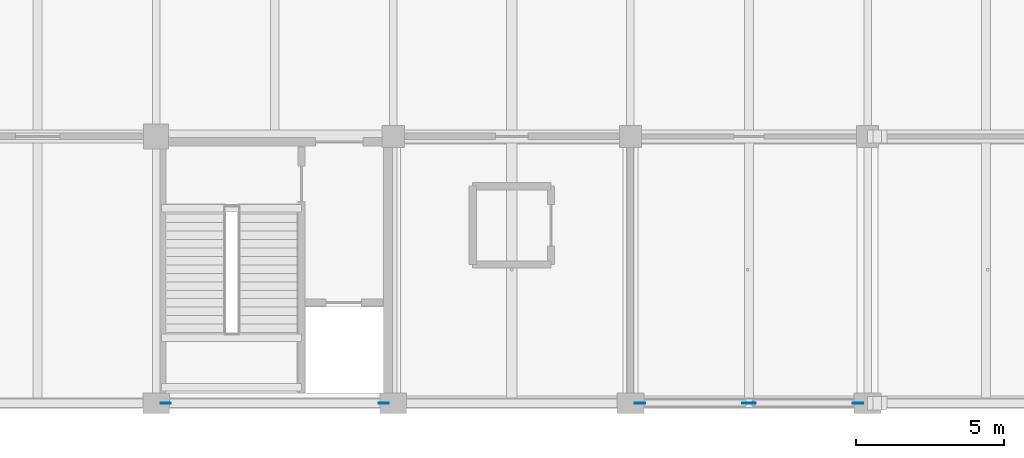
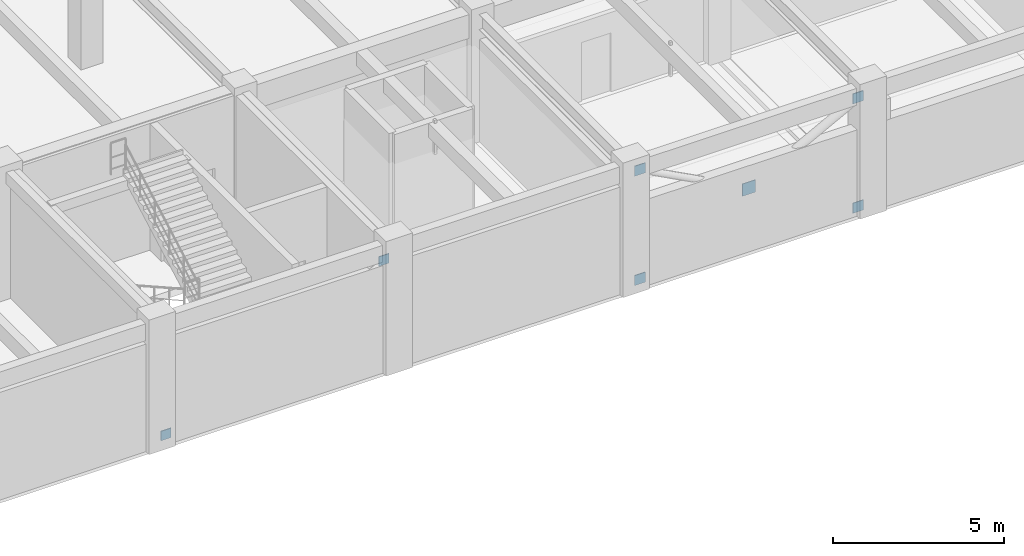
# One storey, part 99 of 144: 7 plates.
"""IFC4 building model written with IfcOpenShell, lengths in metres."""

from ifc_helpers import new_model, si_unit, direction, frame, origin, origin_2d, place, context, subcontext, project, spatial, rectangle, extrude, material, layer, layer_set, type_object, element, save


model = new_model("IFC4")

# Units and contexts
model_context = context("Model", 3, precision=1e-05, world=origin(), true_north=direction((0.0, 1.0)))
body_context = subcontext(model_context, "Body", "Model", "MODEL_VIEW")
ifc_project = project(units=[si_unit("LENGTHUNIT", "METRE"), si_unit("AREAUNIT", "SQUARE_METRE"), si_unit("VOLUMEUNIT", "CUBIC_METRE"), si_unit("PLANEANGLEUNIT", "RADIAN"), si_unit("MASSUNIT", "GRAM", prefix="KILO")], contexts=[model_context])

# Site, building, storey
site_placement = place(None, origin())
site = spatial("IfcSite", under=ifc_project, at=site_placement, CompositionType="ELEMENT")
building_placement = place(site_placement, origin())
building = spatial("IfcBuilding", under=site, at=building_placement, Name="Varnabhumi Central Station", CompositionType="ELEMENT")
storey_placement = place(building_placement, frame((0.0, 0.0, 4.800048828125)))
storey = spatial("IfcBuildingStorey", under=building, at=storey_placement, Name="L01", CompositionType="ELEMENT", Elevation=4.800048828125)

# Plates
ifc_material = material(Name="Structural steel E350", Category="steel")
ifc_layer = layer(ifc_material, 0.031982421875, Name="Structural steel E350", Category="steel")
ifc_layer_set = layer_set([ifc_layer], Name="Structural steel E350")
plate_type = type_object("IfcPlateType", Name="PLT-GUSSET-A", PredefinedType="USERDEFINED", material=ifc_layer_set)
plate_placement = place(storey_placement, frame((60.0, 0.0, 1.929931640625), z_axis=(0.0, 0.0, 1.0), x_axis=(1.0, 0.0, 0.0)))
element("IfcPlate", 1, at=plate_placement, inside=storey, type_object=plate_type, Name="X-Brace Crossing Node Gusset L01-A:8-9", ObjectType="GUSSET PLATE", PredefinedType="USERDEFINED", context=body_context, shape_type="SweptSolid", body=[
    extrude(rectangle(XDim=0.43994140625, YDim=0.02490234375, at=origin_2d()), origin(), (0.0, 0.0, 1.0), 0.43994140625),
])
for number, where, z_axis, x_axis, name in (
    (2, (56.320068359375, 0.0, 0.02001953125), (0.0, 0.0, 1.0), (1.0, 0.0, 0.0), "Brace End Gusset Plate L01-A:8-9-BL"),
    (3, (56.320068359375, 0.0, 3.919921875), (0.0, 0.0, 1.0), (1.0, 0.0, 0.0), "Brace End Gusset Plate L01-A:8-9-TL"),
    (4, (63.679931640625, 0.0, 0.02001953125), (0.0, 0.0, 1.0), (1.0, 0.0, 0.0), "Brace End Gusset Plate L01-A:8-9-BR"),
    (5, (63.679931640625, 0.0, 3.919921875), (0.0, 0.0, 1.0), (1.0, 0.0, 0.0), "Brace End Gusset Plate L01-A:8-9-TR"),
):
    element("IfcPlate", number, at=place(storey_placement, frame(where, z_axis=z_axis, x_axis=x_axis)), inside=storey, type_object=plate_type, Name=name, ObjectType="GUSSET PLATE", PredefinedType="USERDEFINED", context=body_context, shape_type="SweptSolid", body=[
        extrude(rectangle(XDim=0.360107421875, YDim=0.02490234375, at=origin_2d()), origin(), (0.0, 0.0, 1.0), 0.360107421875),
    ])
for number, where, z_axis, x_axis, name in (
    (6, (40.320068359375, 0.0, 0.080078125), (0.0, 0.0, 1.0), (1.0, 0.0, 0.0), "Lateral Brace End Gusset WB-7-B"),
    (7, (47.679931640625, 0.0, 3.72998046875), (0.0, 0.0, 1.0), (1.0, 0.0, 0.0), "Lateral Brace End Gusset WB-7-T"),
):
    element("IfcPlate", number, at=place(storey_placement, frame(where, z_axis=z_axis, x_axis=x_axis)), inside=storey, type_object=plate_type, Name=name, ObjectType="GUSSET PLATE", PredefinedType="USERDEFINED", context=body_context, shape_type="SweptSolid", body=[
        extrude(rectangle(XDim=0.340087890625, YDim=0.02490234375, at=origin_2d()), origin(), (0.0, 0.0, 1.0), 0.340087890625),
    ])

save(model, "model.ifc")
